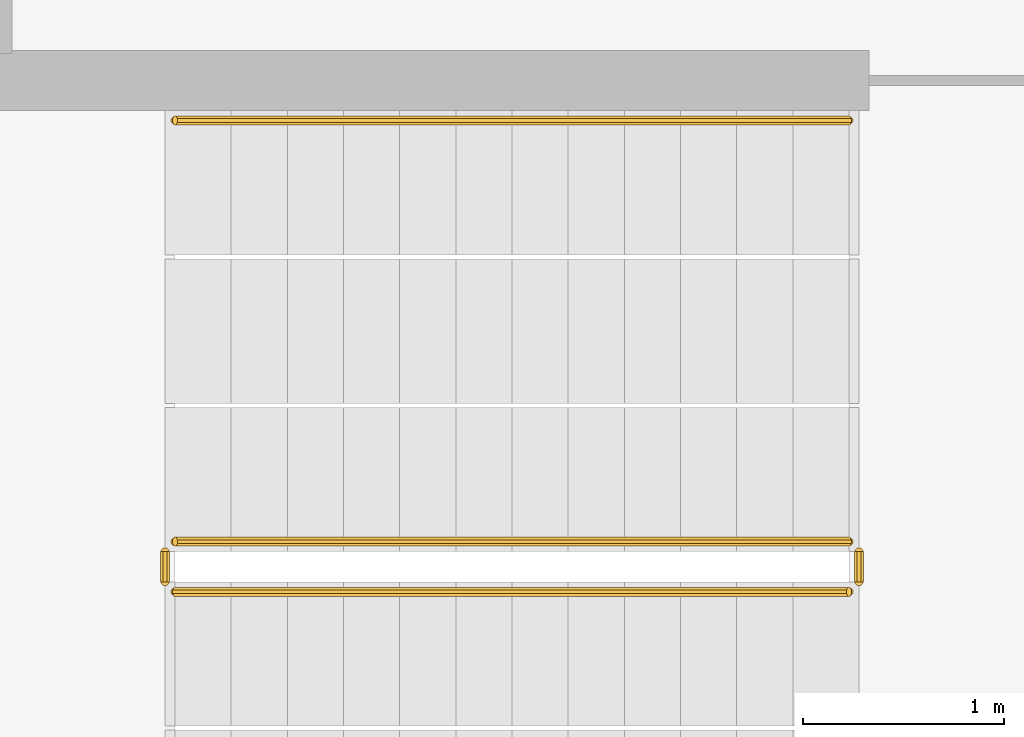
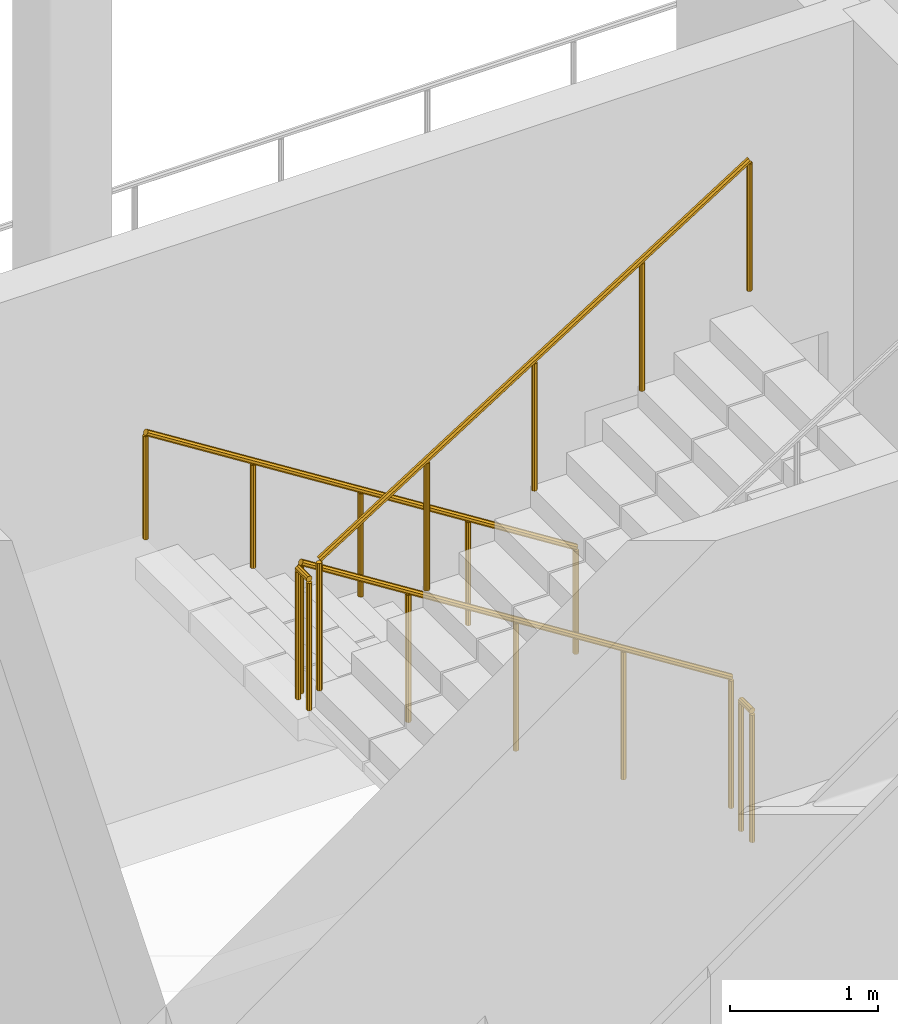
# One storey, part 21 of 30: 5 railings.
"""IFC4 building model written with IfcOpenShell, lengths in metres."""

import ifcopenshell
import ifcopenshell.guid

model = None  # the IFC model being written
_history = None  # IfcOwnerHistory: only IFC2X3 demands one
_inside = {}  # id of a spatial element -> (the spatial element, [elements in it])
_under = {}  # id of a project, library or spatial element -> (it, [spatial elements below it])
_declared = {}  # id of a project -> (the project, [libraries it declares])
_typed = {}  # id of a type object -> (the type object, [elements of that type])
_made_of = {}  # id of a material, layer set ... -> (it, [elements and type objects made of it])


def new_model(schema):
    """Start an empty IFC model of exactly this schema.

    Asked for "IFC4X3", IfcOpenShell would pick the latest addendum, in which some entities
    have other attributes; the version numbers below select the first issue.
    IFC2X3 requires an IfcOwnerHistory on every rooted entity: one is made here for all.
    """
    global model, _history
    if schema == "IFC4X3":
        model = ifcopenshell.file(schema_version=(4, 3, 0, 0))
    else:
        model = ifcopenshell.file(schema=schema)
    _inside.clear()
    _under.clear()
    _declared.clear()
    _typed.clear()
    _made_of.clear()
    _history = None
    if model.schema == "IFC2X3":
        org = make("IfcOrganization", Name="unknown")
        user = make(
            "IfcPersonAndOrganization",
            ThePerson=make("IfcPerson", FamilyName="unknown"),
            TheOrganization=org,
        )
        app = make(
            "IfcApplication",
            ApplicationDeveloper=org,
            Version="unknown",
            ApplicationFullName="unknown",
            ApplicationIdentifier="unknown",
        )
        _history = make(
            "IfcOwnerHistory",
            OwningUser=user,
            OwningApplication=app,
            ChangeAction="ADDED",
            CreationDate=0,
        )
    return model


def make(cls, **values):
    """One entity of the class cls with the attributes given. An attribute that is None is left unset."""
    return model.create_entity(
        cls, **{name: value for name, value in values.items() if value is not None}
    )


def rooted(cls, **values):
    """An entity with a GlobalId (a new one), such as an element, a storey or a relation."""
    return make(cls, GlobalId=ifcopenshell.guid.new(), OwnerHistory=_history, **values)


def si_unit(unit_type, name, prefix=None):
    """IfcSIUnit, for example si_unit("LENGTHUNIT", "METRE", prefix="MILLI")."""
    return make("IfcSIUnit", UnitType=unit_type, Prefix=prefix, Name=name)


def assignment(units):
    """IfcUnitAssignment: the units of a project."""
    return None if units is None else make("IfcUnitAssignment", Units=units)


def point(xyz):
    """IfcCartesianPoint."""
    return None if xyz is None else make("IfcCartesianPoint", Coordinates=xyz)


def direction(xyz):
    """IfcDirection."""
    return None if xyz is None else make("IfcDirection", DirectionRatios=xyz)


def frame(location, z_axis=None, x_axis=None):
    """IfcAxis2Placement3D, a coordinate frame: its origin and axes. An axis left out is left unset."""
    return make(
        "IfcAxis2Placement3D",
        Location=point(location),
        Axis=direction(z_axis),
        RefDirection=direction(x_axis),
    )


def origin():
    """The frame at (0, 0, 0) with its axes left unset."""
    return frame((0.0, 0.0, 0.0))


def place(relative_to, where):
    """IfcLocalPlacement: puts the frame where relative to a parent placement (None: the world)."""
    return make(
        "IfcLocalPlacement", PlacementRelTo=relative_to, RelativePlacement=where
    )


def context(
    kind, dimensions, precision=None, world=None, true_north=None, identifier=None
):
    """IfcGeometricRepresentationContext, for example the 3D "Model" context."""
    return make(
        "IfcGeometricRepresentationContext",
        ContextIdentifier=identifier,
        ContextType=kind,
        CoordinateSpaceDimension=dimensions,
        Precision=precision,
        WorldCoordinateSystem=world,
        TrueNorth=true_north,
    )


def subcontext(parent, identifier, kind, view, scale=None):
    """IfcGeometricRepresentationSubContext, for example "Body" below "Model"."""
    return make(
        "IfcGeometricRepresentationSubContext",
        ContextIdentifier=identifier,
        ContextType=kind,
        ParentContext=parent,
        TargetScale=scale,
        TargetView=view,
    )


def project(units=None, contexts=None):
    """IfcProject with its units and contexts."""
    return rooted(
        "IfcProject",
        Name="project",
        RepresentationContexts=contexts,
        UnitsInContext=assignment(units),
    )


def spatial(cls, under=None, at=None, **own):
    """A site, building, storey or space (cls), placed at a placement, below another one or the project."""
    s = rooted(cls, ObjectPlacement=at, **own)
    if under is not None:
        _under.setdefault(under.id(), (under, []))[1].append(s)
    return s


def polyline(points):
    """IfcPolyline through the points."""
    return make("IfcPolyline", Points=[point(p) for p in points])


def outline(outer, holes=None, kind="AREA"):
    """IfcArbitraryClosedProfileDef: a profile drawn as a closed curve; with holes, ...WithVoids."""
    if holes is None:
        return make("IfcArbitraryClosedProfileDef", ProfileType=kind, OuterCurve=outer)
    return make(
        "IfcArbitraryProfileDefWithVoids",
        ProfileType=kind,
        OuterCurve=outer,
        InnerCurves=holes,
    )


def extrude(swept, where, along, depth):
    """IfcExtrudedAreaSolid: the profile swept, set in the frame where, extruded along a direction by depth."""
    return make(
        "IfcExtrudedAreaSolid",
        SweptArea=swept,
        Position=where,
        ExtrudedDirection=direction(along),
        Depth=depth,
    )


def shape(context_of_items, identifier, shape_type, items):
    """IfcShapeRepresentation: the items that make up one representation, for example the "Body"."""
    return make(
        "IfcShapeRepresentation",
        ContextOfItems=context_of_items,
        RepresentationIdentifier=identifier,
        RepresentationType=shape_type,
        Items=items,
    )


def material(Name=None, Category=None):
    """IfcMaterial."""
    return make("IfcMaterial", Name=Name, Category=Category)


def made_of(thing, what):
    """Note that an element or type object is made of a material, layer set ...; save() writes the relation."""
    if what is not None:
        _made_of.setdefault(what.id(), (what, []))[1].append(thing)
    return thing


def type_object(cls, material=None, **own):
    """A type object (cls), such as IfcWallType, which elements share."""
    return made_of(rooted(cls, **own), material)


def element(
    cls,
    number,
    at=None,
    inside=None,
    cuts=None,
    type_object=None,
    material=None,
    context=None,
    identifier="Body",
    shape_type=None,
    held_by="IfcProductDefinitionShape",
    body=None,
    shapes=None,
    **own,
):
    """One element of the class cls, such as IfcWall. Its Tag is "e" and its number.

    at: its placement. inside: the storey or other place that contains it. cuts: it is an
    opening in that element (IfcRelVoidsElement). A single representation is given by context,
    identifier, shape_type and body (its items); several are given by shapes. held_by: the class
    of the entity that holds the representations. save() writes the other relations.
    """
    e = rooted(cls, Tag="e%d" % number, ObjectPlacement=at, **own)
    if body is not None:
        shapes = [shape(context, identifier, shape_type, body)]
    if shapes is not None:
        e.Representation = make(held_by, Representations=shapes)
    if inside is not None:
        _inside.setdefault(inside.id(), (inside, []))[1].append(e)
    if cuts is not None:
        rooted(
            "IfcRelVoidsElement", RelatingBuildingElement=cuts, RelatedOpeningElement=e
        )
    if type_object is not None:
        _typed.setdefault(type_object.id(), (type_object, []))[1].append(e)
    return made_of(e, material)


def aggregate(whole, parts):
    """IfcRelAggregates: a whole, such as a stair, and the parts it consists of."""
    return rooted("IfcRelAggregates", RelatingObject=whole, RelatedObjects=parts)


def save(model, path):
    """Write the relations noted so far, then the file.

    IfcRelAggregates (storeys below a building ...), IfcRelContainedInSpatialStructure (elements
    in a storey), IfcRelDefinesByType, IfcRelAssociatesMaterial and IfcRelDeclares: one each for
    every whole, place, type object, material and project.
    """
    for whole, parts in _under.values():
        aggregate(whole, parts)
    for where, things in _inside.values():
        rooted(
            "IfcRelContainedInSpatialStructure",
            RelatedElements=things,
            RelatingStructure=where,
        )
    for kind, things in _typed.values():
        rooted("IfcRelDefinesByType", RelatedObjects=things, RelatingType=kind)
    for what, things in _made_of.values():
        rooted("IfcRelAssociatesMaterial", RelatedObjects=things, RelatingMaterial=what)
    for by, libraries in _declared.values():
        rooted("IfcRelDeclares", RelatingContext=by, RelatedDefinitions=libraries)
    model.write(path)


model = new_model("IFC4")

# Units and contexts
model_context = context("Model", 3, precision=1e-05, world=origin(), true_north=direction((0.0, 1.0)))
body_context = subcontext(model_context, "Body", "Model", "MODEL_VIEW")
ifc_project = project(units=[si_unit("LENGTHUNIT", "METRE"), si_unit("AREAUNIT", "SQUARE_METRE"), si_unit("VOLUMEUNIT", "CUBIC_METRE"), si_unit("PLANEANGLEUNIT", "RADIAN"), si_unit("MASSUNIT", "GRAM", prefix="KILO")], contexts=[model_context])

# Site, building, storey
site_placement = place(None, origin())
site = spatial("IfcSite", under=ifc_project, at=site_placement, CompositionType="ELEMENT")
building_placement = place(site_placement, origin())
building = spatial("IfcBuilding", under=site, at=building_placement, Name="Cormorant Relay Tower", CompositionType="ELEMENT")
storey_placement = place(building_placement, frame((0.0, 0.0, 89.199951171875)))
storey = spatial("IfcBuildingStorey", under=building, at=storey_placement, Name="L17", CompositionType="ELEMENT", Elevation=89.199951171875)

# Railings
ifc_material_1 = material(Name="Steel ASTM A572 Grade 50 (Fy 345 MPa)", Category="steel")
railing_type_1 = type_object("IfcRailingType", Name="Stair guard 1100", PredefinedType="GUARDRAIL", material=ifc_material_1)
railing_1_placement = place(storey_placement, frame((1.60009765625, -18.27490234375, 0.177001953125)))
element("IfcRailing", 1, at=railing_1_placement, inside=storey, type_object=railing_type_1, Name="L17 RK1 stair guard 1", PredefinedType="GUARDRAIL", context=body_context, shape_type="SweptSolid", body=[
    extrude(outline(polyline([(0.022216796875, 0.00927734375), (0.00927734375, 0.022216796875), (-0.00927734375, 0.022216796875), (-0.022216796875, 0.00927734375), (-0.022216796875, -0.00927734375), (-0.00927734375, -0.022216796875), (0.00927734375, -0.022216796875), (0.022216796875, -0.00927734375), (0.022216796875, 0.00927734375)])), frame((0.0, 0.0, 1.076171875), z_axis=(-0.845389635667, 0.0, 0.534150132366), x_axis=(0.0, -1.0, 0.0)), (0.0, 0.0, 1.0), 3.974609375),
    extrude(outline(polyline([(0.019287109375, 0.008056640625), (0.008056640625, 0.019287109375), (-0.008056640625, 0.019287109375), (-0.019287109375, 0.008056640625), (-0.019287109375, -0.008056640625), (-0.008056640625, -0.019287109375), (0.008056640625, -0.019287109375), (0.019287109375, -0.008056640625), (0.019287109375, 0.008056640625)])), origin(), (0.0, 0.0, 1.0), 1.052001953125),
    extrude(outline(polyline([(0.019287109375, 0.008056640625), (0.008056640625, 0.019287109375), (-0.008056640625, 0.019287109375), (-0.019287109375, 0.008056640625), (-0.019287109375, -0.008056640625), (-0.008056640625, -0.019287109375), (0.008056640625, -0.019287109375), (0.019287109375, -0.008056640625), (0.019287109375, 0.008056640625)])), frame((-0.840087890625, 0.0, 0.53076171875)), (0.0, 0.0, 1.0), 1.052001953125),
    extrude(outline(polyline([(0.019287109375, 0.008056640625), (0.008056640625, 0.019287109375), (-0.008056640625, 0.019287109375), (-0.019287109375, 0.008056640625), (-0.019287109375, -0.008056640625), (-0.008056640625, -0.019287109375), (0.008056640625, -0.019287109375), (0.019287109375, -0.008056640625), (0.019287109375, 0.008056640625)])), frame((-1.68017578125, 0.0, 1.0615234375)), (0.0, 0.0, 1.0), 1.052001953125),
    extrude(outline(polyline([(0.019287109375, 0.008056640625), (0.008056640625, 0.019287109375), (-0.008056640625, 0.019287109375), (-0.019287109375, 0.008056640625), (-0.019287109375, -0.008056640625), (-0.008056640625, -0.019287109375), (0.008056640625, -0.019287109375), (0.019287109375, -0.008056640625), (0.019287109375, 0.008056640625)])), frame((-2.52001953125, 0.0, 1.59228515625)), (0.0, 0.0, 1.0), 1.052001953125),
    extrude(outline(polyline([(0.019287109375, 0.008056640625), (0.008056640625, 0.019287109375), (-0.008056640625, 0.019287109375), (-0.019287109375, 0.008056640625), (-0.019287109375, -0.008056640625), (-0.008056640625, -0.019287109375), (0.008056640625, -0.019287109375), (0.019287109375, -0.008056640625), (0.019287109375, 0.008056640625)])), frame((-3.360107421875, 0.0, 2.123046875)), (0.0, 0.0, 1.0), 1.052001953125),
])
railing_2_placement = place(storey_placement, frame((-1.81005859375, -18.324951171875, 2.300048828125)))
element("IfcRailing", 2, at=railing_2_placement, inside=storey, type_object=railing_type_1, Name="L17 RK1 stair guard 2", PredefinedType="GUARDRAIL", context=body_context, shape_type="SweptSolid", body=[
    extrude(outline(polyline([(0.022216796875, 0.00927734375), (0.00927734375, 0.022216796875), (-0.00927734375, 0.022216796875), (-0.022216796875, 0.00927734375), (-0.022216796875, -0.00927734375), (-0.00927734375, -0.022216796875), (0.00927734375, -0.022216796875), (0.022216796875, -0.00927734375), (0.022216796875, 0.00927734375)])), frame((0.0, 0.0, 1.076171875), z_axis=(0.0, -1.0, 0.0), x_axis=(1.0, 0.0, 0.0)), (0.0, 0.0, 1.0), 0.150146484375),
    extrude(outline(polyline([(0.019287109375, 0.008056640625), (0.008056640625, 0.019287109375), (-0.008056640625, 0.019287109375), (-0.019287109375, 0.008056640625), (-0.019287109375, -0.008056640625), (-0.008056640625, -0.019287109375), (0.008056640625, -0.019287109375), (0.019287109375, -0.008056640625), (0.019287109375, 0.008056640625)])), origin(), (0.0, 0.0, 1.0), 1.052001953125),
    extrude(outline(polyline([(0.019287109375, 0.008056640625), (0.008056640625, 0.019287109375), (-0.008056640625, 0.019287109375), (-0.019287109375, 0.008056640625), (-0.019287109375, -0.008056640625), (-0.008056640625, -0.019287109375), (0.008056640625, -0.019287109375), (0.019287109375, -0.008056640625), (0.019287109375, 0.008056640625)])), frame((0.0, -0.150146484375, 0.0)), (0.0, 0.0, 1.0), 1.052001953125),
])
railing_3_placement = place(storey_placement, frame((-1.760009765625, -18.52490234375, 2.47705078125)))
element("IfcRailing", 3, at=railing_3_placement, inside=storey, type_object=railing_type_1, Name="L17 RK1 stair guard 3", PredefinedType="GUARDRAIL", context=body_context, shape_type="SweptSolid", body=[
    extrude(outline(polyline([(0.022216796875, 0.00927734375), (0.00927734375, 0.022216796875), (-0.00927734375, 0.022216796875), (-0.022216796875, 0.00927734375), (-0.022216796875, -0.00927734375), (-0.00927734375, -0.022216796875), (0.00927734375, -0.022216796875), (0.022216796875, -0.00927734375), (0.022216796875, 0.00927734375)])), frame((0.0, 0.0, 1.076171875), z_axis=(0.845389635667, 0.0, 0.534150132366), x_axis=(0.0, 1.0, 0.0)), (0.0, 0.0, 1.0), 3.974609375),
    extrude(outline(polyline([(0.019287109375, 0.008056640625), (0.008056640625, 0.019287109375), (-0.008056640625, 0.019287109375), (-0.019287109375, 0.008056640625), (-0.019287109375, -0.008056640625), (-0.008056640625, -0.019287109375), (0.008056640625, -0.019287109375), (0.019287109375, -0.008056640625), (0.019287109375, 0.008056640625)])), origin(), (0.0, 0.0, 1.0), 1.052001953125),
    extrude(outline(polyline([(0.019287109375, 0.008056640625), (0.008056640625, 0.019287109375), (-0.008056640625, 0.019287109375), (-0.019287109375, 0.008056640625), (-0.019287109375, -0.008056640625), (-0.008056640625, -0.019287109375), (0.008056640625, -0.019287109375), (0.019287109375, -0.008056640625), (0.019287109375, 0.008056640625)])), frame((0.840087890625, 0.0, 0.53076171875)), (0.0, 0.0, 1.0), 1.052001953125),
    extrude(outline(polyline([(0.019287109375, 0.008056640625), (0.008056640625, 0.019287109375), (-0.008056640625, 0.019287109375), (-0.019287109375, 0.008056640625), (-0.019287109375, -0.008056640625), (-0.008056640625, -0.019287109375), (0.008056640625, -0.019287109375), (0.019287109375, -0.008056640625), (0.019287109375, 0.008056640625)])), frame((1.68017578125, 0.0, 1.0615234375)), (0.0, 0.0, 1.0), 1.052001953125),
    extrude(outline(polyline([(0.019287109375, 0.008056640625), (0.008056640625, 0.019287109375), (-0.008056640625, 0.019287109375), (-0.019287109375, 0.008056640625), (-0.019287109375, -0.008056640625), (-0.008056640625, -0.019287109375), (0.008056640625, -0.019287109375), (0.019287109375, -0.008056640625), (0.019287109375, 0.008056640625)])), frame((2.52001953125, 0.0, 1.59228515625)), (0.0, 0.0, 1.0), 1.052001953125),
    extrude(outline(polyline([(0.019287109375, 0.008056640625), (0.008056640625, 0.019287109375), (-0.008056640625, 0.019287109375), (-0.019287109375, 0.008056640625), (-0.019287109375, -0.008056640625), (-0.008056640625, -0.019287109375), (0.008056640625, -0.019287109375), (0.019287109375, -0.008056640625), (0.019287109375, 0.008056640625)])), frame((3.360107421875, 0.0, 2.123046875)), (0.0, 0.0, 1.0), 1.052001953125),
])
railing_4_placement = place(storey_placement, frame((1.64990234375, -18.324951171875, 0.0)))
element("IfcRailing", 4, at=railing_4_placement, inside=storey, type_object=railing_type_1, Name="L17 RK1 stair guard 4", PredefinedType="GUARDRAIL", context=body_context, shape_type="SweptSolid", body=[
    extrude(outline(polyline([(0.022216796875, 0.00927734375), (0.00927734375, 0.022216796875), (-0.00927734375, 0.022216796875), (-0.022216796875, 0.00927734375), (-0.022216796875, -0.00927734375), (-0.00927734375, -0.022216796875), (0.00927734375, -0.022216796875), (0.022216796875, -0.00927734375), (0.022216796875, 0.00927734375)])), frame((0.0, 0.0, 1.076171875), z_axis=(0.0, -1.0, 0.0), x_axis=(1.0, 0.0, 0.0)), (0.0, 0.0, 1.0), 0.150146484375),
    extrude(outline(polyline([(0.019287109375, 0.008056640625), (0.008056640625, 0.019287109375), (-0.008056640625, 0.019287109375), (-0.019287109375, 0.008056640625), (-0.019287109375, -0.008056640625), (-0.008056640625, -0.019287109375), (0.008056640625, -0.019287109375), (0.019287109375, -0.008056640625), (0.019287109375, 0.008056640625)])), origin(), (0.0, 0.0, 1.0), 1.052001953125),
    extrude(outline(polyline([(0.019287109375, 0.008056640625), (0.008056640625, 0.019287109375), (-0.008056640625, 0.019287109375), (-0.019287109375, 0.008056640625), (-0.019287109375, -0.008056640625), (-0.008056640625, -0.019287109375), (0.008056640625, -0.019287109375), (0.019287109375, -0.008056640625), (0.019287109375, 0.008056640625)])), frame((0.0, -0.150146484375, 0.0)), (0.0, 0.0, 1.0), 1.052001953125),
])
ifc_material_2 = material(Name="Steel ASTM A572 Grade 50 (Fy 345 MPa)", Category="steel")
railing_type_2 = type_object("IfcRailingType", Name="Stair handrail 900", PredefinedType="HANDRAIL", material=ifc_material_2)
railing_5_placement = place(storey_placement, frame((1.60009765625, -16.175048828125, 0.177001953125)))
element("IfcRailing", 5, at=railing_5_placement, inside=storey, type_object=railing_type_2, Name="L17 RK1 stair handrail 1", PredefinedType="HANDRAIL", context=body_context, shape_type="SweptSolid", body=[
    extrude(outline(polyline([(0.022216796875, 0.00927734375), (0.00927734375, 0.022216796875), (-0.00927734375, 0.022216796875), (-0.022216796875, 0.00927734375), (-0.022216796875, -0.00927734375), (-0.00927734375, -0.022216796875), (0.00927734375, -0.022216796875), (0.022216796875, -0.00927734375), (0.022216796875, 0.00927734375)])), frame((0.0, 0.0, 0.8759765625), z_axis=(-0.845389635667, 0.0, 0.534150132366), x_axis=(0.0, -1.0, 0.0)), (0.0, 0.0, 1.0), 3.974609375),
    extrude(outline(polyline([(0.019287109375, 0.008056640625), (0.008056640625, 0.019287109375), (-0.008056640625, 0.019287109375), (-0.019287109375, 0.008056640625), (-0.019287109375, -0.008056640625), (-0.008056640625, -0.019287109375), (0.008056640625, -0.019287109375), (0.019287109375, -0.008056640625), (0.019287109375, 0.008056640625)])), origin(), (0.0, 0.0, 1.0), 0.851806640625),
    extrude(outline(polyline([(0.019287109375, 0.008056640625), (0.008056640625, 0.019287109375), (-0.008056640625, 0.019287109375), (-0.019287109375, 0.008056640625), (-0.019287109375, -0.008056640625), (-0.008056640625, -0.019287109375), (0.008056640625, -0.019287109375), (0.019287109375, -0.008056640625), (0.019287109375, 0.008056640625)])), frame((-0.840087890625, 0.0, 0.53076171875)), (0.0, 0.0, 1.0), 0.851806640625),
    extrude(outline(polyline([(0.019287109375, 0.008056640625), (0.008056640625, 0.019287109375), (-0.008056640625, 0.019287109375), (-0.019287109375, 0.008056640625), (-0.019287109375, -0.008056640625), (-0.008056640625, -0.019287109375), (0.008056640625, -0.019287109375), (0.019287109375, -0.008056640625), (0.019287109375, 0.008056640625)])), frame((-1.68017578125, 0.0, 1.0615234375)), (0.0, 0.0, 1.0), 0.851806640625),
    extrude(outline(polyline([(0.019287109375, 0.008056640625), (0.008056640625, 0.019287109375), (-0.008056640625, 0.019287109375), (-0.019287109375, 0.008056640625), (-0.019287109375, -0.008056640625), (-0.008056640625, -0.019287109375), (0.008056640625, -0.019287109375), (0.019287109375, -0.008056640625), (0.019287109375, 0.008056640625)])), frame((-2.52001953125, 0.0, 1.59228515625)), (0.0, 0.0, 1.0), 0.851806640625),
    extrude(outline(polyline([(0.019287109375, 0.008056640625), (0.008056640625, 0.019287109375), (-0.008056640625, 0.019287109375), (-0.019287109375, 0.008056640625), (-0.019287109375, -0.008056640625), (-0.008056640625, -0.019287109375), (0.008056640625, -0.019287109375), (0.019287109375, -0.008056640625), (0.019287109375, 0.008056640625)])), frame((-3.360107421875, 0.0, 2.123046875)), (0.0, 0.0, 1.0), 0.851806640625),
])

save(model, "model.ifc")
